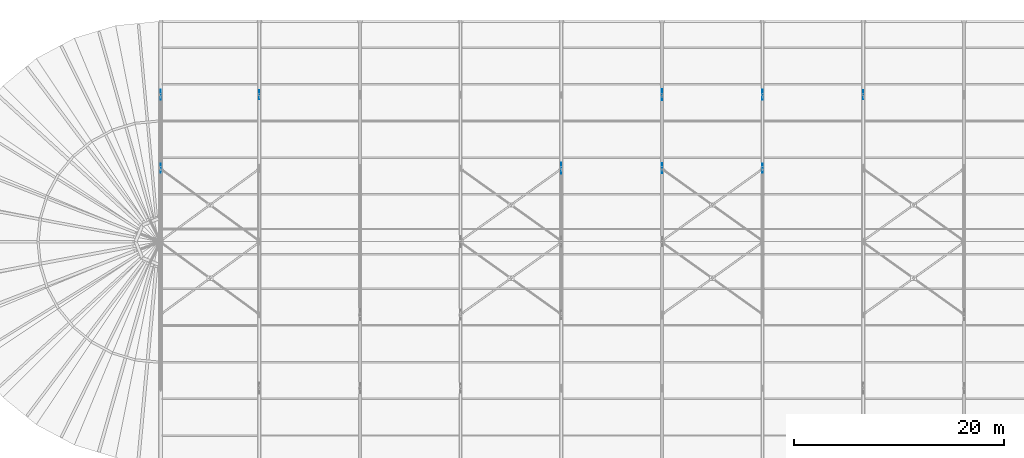
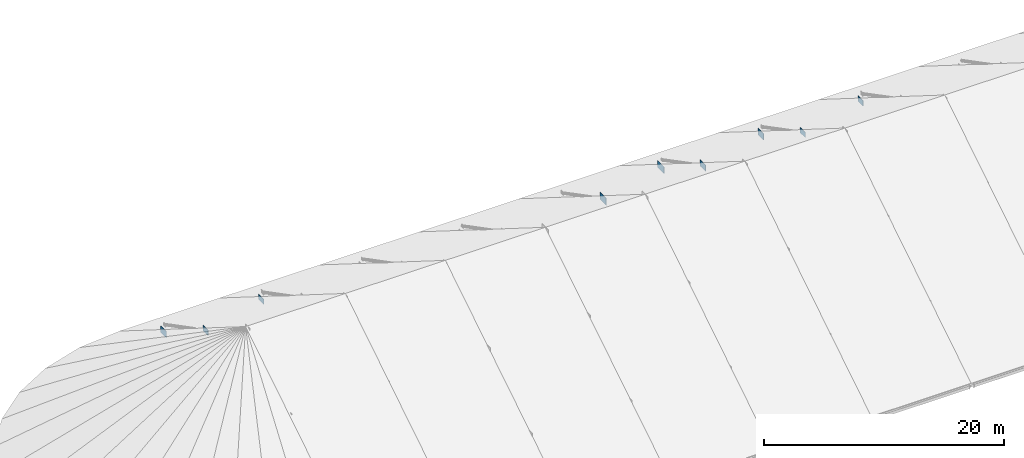
# One storey, part 31 of 66: 9 plates.
"""IFC4 building model written with IfcOpenShell, lengths in metres."""

from ifc_helpers import new_model, si_unit, direction, frame, origin, origin_2d, place, context, subcontext, project, spatial, rectangle, extrude, material, layer, layer_set, type_object, element, save


model = new_model("IFC4")

# Units and contexts
model_context = context("Model", 3, precision=1e-05, world=origin(), true_north=direction((0.0, 1.0)))
body_context = subcontext(model_context, "Body", "Model", "MODEL_VIEW")
ifc_project = project(units=[si_unit("LENGTHUNIT", "METRE"), si_unit("AREAUNIT", "SQUARE_METRE"), si_unit("VOLUMEUNIT", "CUBIC_METRE"), si_unit("PLANEANGLEUNIT", "RADIAN"), si_unit("MASSUNIT", "GRAM", prefix="KILO")], contexts=[model_context])

# Site, building, storey
site_placement = place(None, origin())
site = spatial("IfcSite", under=ifc_project, at=site_placement, CompositionType="ELEMENT")
building_placement = place(site_placement, origin())
building = spatial("IfcBuilding", under=site, at=building_placement, Name="Yeouljin Market Hall", CompositionType="ELEMENT")
storey_placement = place(building_placement, frame((0.0, 0.0, 23.39990234375)))
storey = spatial("IfcBuildingStorey", under=building, at=storey_placement, Name="RF", CompositionType="ELEMENT", Elevation=23.39990234375)

# Plates
ifc_material_1 = material(Name="Steel SM355", Category="steel")
ifc_layer_1 = layer(ifc_material_1, 0.030029296875)
ifc_layer_set_1 = layer_set([ifc_layer_1], Name="Steel SM355")
plate_type_1 = type_object("IfcPlateType", Name="GussetPlate_1050x700x30", PredefinedType="USERDEFINED", material=ifc_layer_set_1)
for number, where, z_axis, x_axis, name in (
    (1, (73.800048828125, 64.0, -3.85009765625), (0.0, 0.0, 1.0), (0.0, 1.0, 0.0), "Truss node gusset plate 024"),
    (2, (83.39990234375, 71.0, -8.25), (0.0, 0.0, 1.0), (0.0, 1.0, 0.0), "Truss node gusset plate 030"),
):
    element("IfcPlate", number, at=place(storey_placement, frame(where, z_axis=z_axis, x_axis=x_axis)), inside=storey, type_object=plate_type_1, Name=name, ObjectType="GUSSET PLATE", PredefinedType="USERDEFINED", context=body_context, shape_type="SweptSolid", body=[
        extrude(rectangle(XDim=1.050048828125, YDim=0.030029296875, at=origin_2d()), origin(), (0.0, 0.0, 1.0), 0.699951171875),
    ])
ifc_material_2 = material(Name="Steel SM355", Category="steel")
ifc_layer_2 = layer(ifc_material_2, 0.02490234375)
ifc_layer_set_2 = layer_set([ifc_layer_2], Name="Steel SM355")
plate_type_2 = type_object("IfcPlateType", Name="GussetPlate_850x550x25", PredefinedType="USERDEFINED", material=ifc_layer_set_2)
for number, where, z_axis, x_axis, name in (
    (3, (35.60009765625, 64.0, -3.77490234375), (0.0, 0.0, 1.0), (0.0, 1.0, 0.0), "Truss node gusset plate 004"),
    (4, (45.0, 71.0, -8.1748046875), (0.0, 0.0, 1.0), (0.0, 1.0, 0.0), "Truss node gusset plate 010"),
    (5, (93.0, 64.0, -3.77490234375), (0.0, 0.0, 1.0), (0.0, 1.0, 0.0), "Truss node gusset plate 034"),
    (6, (102.60009765625, 71.0, -8.1748046875), (0.0, 0.0, 1.0), (0.0, 1.0, 0.0), "Truss node gusset plate 040"),
):
    element("IfcPlate", number, at=place(storey_placement, frame(where, z_axis=z_axis, x_axis=x_axis)), inside=storey, type_object=plate_type_2, Name=name, ObjectType="GUSSET PLATE", PredefinedType="USERDEFINED", context=body_context, shape_type="SweptSolid", body=[
        extrude(rectangle(XDim=0.85009765625, YDim=0.02490234375, at=origin_2d()), origin(), (0.0, 0.0, 1.0), 0.550048828125),
    ])
ifc_material_3 = material(Name="Steel SM355", Category="steel")
ifc_layer_3 = layer(ifc_material_3, 0.028076171875)
ifc_layer_set_3 = layer_set([ifc_layer_3], Name="Steel SM355")
plate_type_3 = type_object("IfcPlateType", Name="GussetPlate_950x650x28", PredefinedType="USERDEFINED", material=ifc_layer_set_3)
for number, where, z_axis, x_axis, name in (
    (7, (35.60009765625, 71.0, -8.224853515625), (0.0, 0.0, 1.0), (0.0, 1.0, 0.0), "Truss node gusset plate 005"),
    (8, (83.39990234375, 64.0, -3.824951171875), (0.0, 0.0, 1.0), (0.0, 1.0, 0.0), "Truss node gusset plate 029"),
    (9, (93.0, 71.0, -8.224853515625), (0.0, 0.0, 1.0), (0.0, 1.0, 0.0), "Truss node gusset plate 035"),
):
    element("IfcPlate", number, at=place(storey_placement, frame(where, z_axis=z_axis, x_axis=x_axis)), inside=storey, type_object=plate_type_3, Name=name, ObjectType="GUSSET PLATE", PredefinedType="USERDEFINED", context=body_context, shape_type="SweptSolid", body=[
        extrude(rectangle(XDim=0.949951171875, YDim=0.028076171875, at=origin_2d()), origin(), (0.0, 0.0, 1.0), 0.64990234375),
    ])

save(model, "model.ifc")
